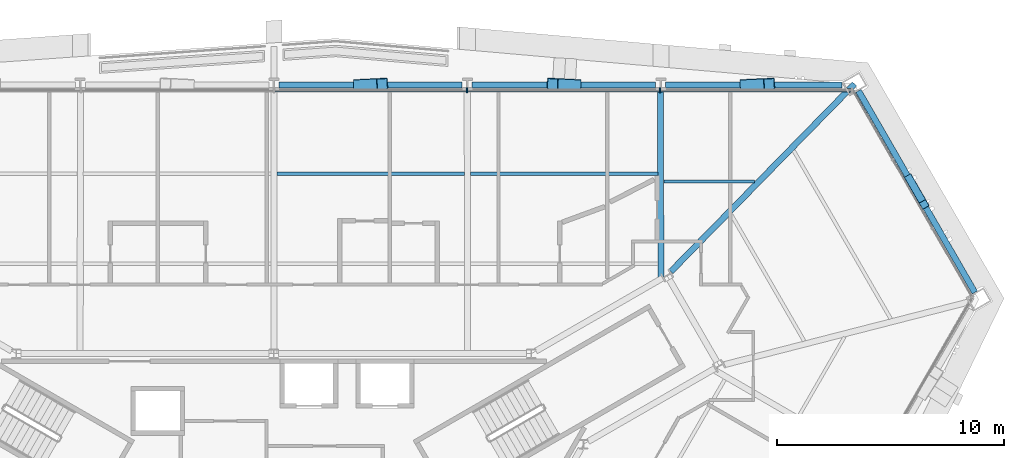
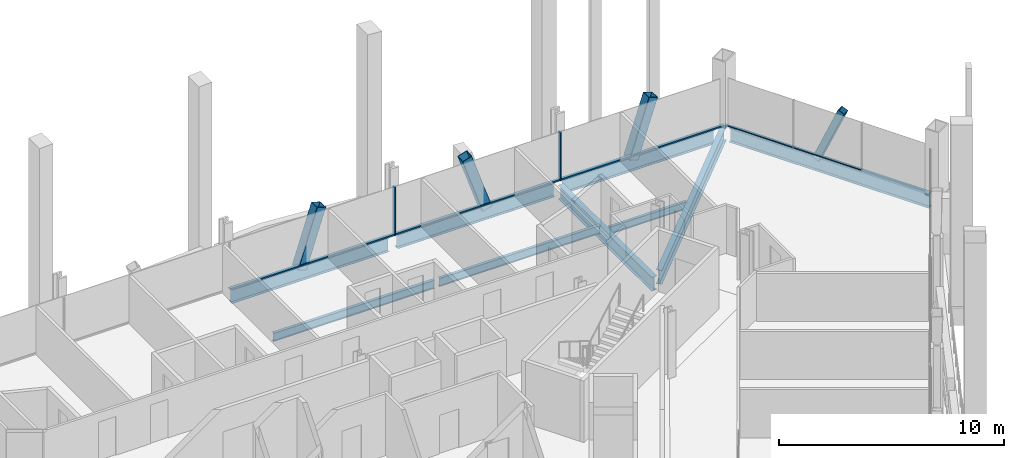
# One storey, part 8 of 18: 11 members, 9 beams, 2 elements without a shape of their own.
"""IFC4 building model written with IfcOpenShell, lengths in metres."""

from ifc_helpers import new_model, si_unit, direction, frame, origin, origin_2d, place, context, subcontext, project, spatial, rectangle, hollow_rectangle, i_section, extrude, material, material_profile, profile_set, type_object, element, aggregate, save


model = new_model("IFC4")

# Units and contexts
model_context = context("Model", 3, precision=1e-05, world=origin(), true_north=direction((0.0, 1.0)))
body_context = subcontext(model_context, "Body", "Model", "MODEL_VIEW")
ifc_project = project(units=[si_unit("LENGTHUNIT", "METRE"), si_unit("AREAUNIT", "SQUARE_METRE"), si_unit("VOLUMEUNIT", "CUBIC_METRE"), si_unit("PLANEANGLEUNIT", "RADIAN"), si_unit("MASSUNIT", "GRAM", prefix="KILO")], contexts=[model_context])

# Site, building, storey
site_placement = place(None, origin())
site = spatial("IfcSite", under=ifc_project, at=site_placement, CompositionType="ELEMENT")
building_placement = place(site_placement, origin())
building = spatial("IfcBuilding", under=site, at=building_placement, Name="Verrane Prism Tower", CompositionType="ELEMENT")
storey_placement = place(building_placement, frame((0.0, 0.0, 47.60009765625)))
storey = spatial("IfcBuildingStorey", under=building, at=storey_placement, Name="L09", CompositionType="ELEMENT", Elevation=47.60009765625)

# Member
ifc_material_1 = material(Name="Steel A500 Grade C", Category="steel")
ifc_material_profile_1 = material_profile(ifc_material_1, hollow_rectangle(XDim=0.355712890625, YDim=0.355712890625, WallThickness=0.0126953125, InnerFilletRadius=0.00634765625, OuterFilletRadius=0.01904296875, at=origin_2d()), Name="HSS14x14x1/2")
ifc_profile_set_1 = profile_set([ifc_material_profile_1], Name="Steel A500 Grade C")
member_type_1 = type_object("IfcMemberType", Name="Chamfer brace HSS14x14x1/2", PredefinedType="BRACE", material=ifc_profile_set_1)
member_1_placement = place(storey_placement, frame((27.958984375, 16.89501953125, -0.2451171875), z_axis=(0.19910006136, -0.345106773023, 0.917202529859), x_axis=(0.866185586049, 0.49972245349, 0.0)))
element("IfcMember", 1, at=member_1_placement, inside=storey, type_object=member_type_1, Name="Chamfer brace NE0 L09", PredefinedType="BRACE", context=body_context, shape_type="SweptSolid", body=[
    extrude(hollow_rectangle(XDim=0.355712890625, YDim=0.355712890625, WallThickness=0.0126953125, InnerFilletRadius=0.00634765625, OuterFilletRadius=0.01904296875, at=origin_2d()), origin(), (0.0, 0.0, 1.0), 3.27392578125),
])

# Beams
ifc_material_2 = material(Name="Steel A992", Category="steel")
ifc_material_profile_2 = material_profile(ifc_material_2, i_section(OverallWidth=0.2666015625, OverallDepth=0.76708984375, WebThickness=0.014892578125, FlangeThickness=0.023681640625, FilletRadius=0.0166015625, at=origin_2d()), Name="W30x124")
ifc_profile_set_2 = profile_set([ifc_material_profile_2], Name="Steel A992")
beam_type_1 = type_object("IfcBeamType", Name="Chamfer spandrel beam W30x124", PredefinedType="SPANDREL", material=ifc_profile_set_2)
beam_1_placement = place(storey_placement, frame((30.84521484375, 11.893310546875, -0.543701171875), z_axis=(-0.499796720239, 0.866142735603, 0.0), x_axis=(-0.866142735603, -0.499796720239, 0.0)))
element("IfcBeam", 2, at=beam_1_placement, inside=storey, type_object=beam_type_1, Name="Chamfer spandrel beam L09", PredefinedType="SPANDREL", context=body_context, shape_type="SweptSolid", body=[
    extrude(i_section(OverallWidth=0.2666015625, OverallDepth=0.76708984375, WebThickness=0.014892578125, FlangeThickness=0.023681640625, FilletRadius=0.0166015625, at=origin_2d()), origin(), (0.0, 0.0, 1.0), 10.244873046875),
])
ifc_material_3 = material(Name="Steel A992", Category="steel")
ifc_material_profile_3 = material_profile(ifc_material_3, i_section(OverallWidth=0.2666015625, OverallDepth=0.76708984375, WebThickness=0.014892578125, FlangeThickness=0.023681640625, FilletRadius=0.0166015625, at=origin_2d()), Name="W30x124")
ifc_profile_set_3 = profile_set([ifc_material_profile_3], Name="Steel A992")
beam_type_2 = type_object("IfcBeamType", Name="Corner girder W30x124", PredefinedType="BEAM", material=ifc_profile_set_3)
beam_2_placement = place(storey_placement, frame((25.548828125, 21.06884765625, -0.603515625), z_axis=(-0.699429302474, -0.714701791547, 0.0), x_axis=(0.714701791547, -0.699429302474, 0.0)))
element("IfcBeam", 3, at=beam_2_placement, inside=storey, type_object=beam_type_2, Name="Corner girder L09", PredefinedType="BEAM", context=body_context, shape_type="SweptSolid", body=[
    extrude(i_section(OverallWidth=0.2666015625, OverallDepth=0.76708984375, WebThickness=0.014892578125, FlangeThickness=0.023681640625, FilletRadius=0.0166015625, at=origin_2d()), origin(), (0.0, 0.0, 1.0), 11.5576171875),
])

# Members
ifc_material_4 = material(Name="Steel A1085 Grade A", Category="steel")
ifc_material_profile_4 = material_profile(ifc_material_4, hollow_rectangle(XDim=0.508056640625, YDim=0.508056640625, WallThickness=0.025390625, InnerFilletRadius=0.0126953125, OuterFilletRadius=0.0380859375, at=origin_2d()), Name="HSS20x20x1")
ifc_profile_set_4 = profile_set([ifc_material_profile_4], Name="Steel A1085 Grade A")
member_type_2 = type_object("IfcMemberType", Name="Facade brace HSS20x20x1", PredefinedType="BRACE", material=ifc_profile_set_4)
member_2_placement = place(storey_placement, frame((20.759765625, 21.019287109375, -0.24267578125), z_axis=(0.325838040976, 0.015958161649, 0.945290911905), x_axis=(-0.048917115844, 0.998802841294, 0.0)))
element("IfcMember", 4, at=member_2_placement, inside=storey, type_object=member_type_2, Name="Facade brace N0 L09", PredefinedType="BRACE", context=body_context, shape_type="SweptSolid", body=[
    extrude(hollow_rectangle(XDim=0.508056640625, YDim=0.508056640625, WallThickness=0.025390625, InnerFilletRadius=0.0126953125, OuterFilletRadius=0.0380859375, at=origin_2d()), origin(), (0.0, 0.0, 1.0), 3.18212890625),
])
member_3_placement = place(storey_placement, frame((13.26904296875, 21.019287109375, -0.24267578125), z_axis=(-0.316325789682, 0.016012597774, 0.948515467188), x_axis=(-0.050555857115, -0.998721235036, 0.0)))
element("IfcMember", 5, at=member_3_placement, inside=storey, type_object=member_type_2, Name="Facade brace N1 L09", PredefinedType="BRACE", context=body_context, shape_type="SweptSolid", body=[
    extrude(hollow_rectangle(XDim=0.508056640625, YDim=0.508056640625, WallThickness=0.025390625, InnerFilletRadius=0.0126953125, OuterFilletRadius=0.0380859375, at=origin_2d()), origin(), (0.0, 0.0, 1.0), 3.17138671875),
])
member_4_placement = place(storey_placement, frame((3.74755859375, 21.019287109375, -0.24267578125), z_axis=(0.321300829182, 0.015984351225, 0.946842266527), x_axis=(-0.049687414985, 0.998764817558, 0.0)))
element("IfcMember", 6, at=member_4_placement, inside=storey, type_object=member_type_2, Name="Facade brace N2 L09", PredefinedType="BRACE", context=body_context, shape_type="SweptSolid", body=[
    extrude(hollow_rectangle(XDim=0.508056640625, YDim=0.508056640625, WallThickness=0.025390625, InnerFilletRadius=0.0126953125, OuterFilletRadius=0.0380859375, at=origin_2d()), origin(), (0.0, 0.0, 1.0), 3.177001953125),
])

# Beams
ifc_material_5 = material(Name="Steel A992", Category="steel")
ifc_material_profile_5 = material_profile(ifc_material_5, i_section(OverallWidth=0.140380859375, OverallDepth=0.40380859375, WebThickness=0.007080078125, FlangeThickness=0.01123046875, FilletRadius=0.01025390625, at=origin_2d()), Name="W16x31")
ifc_profile_set_5 = profile_set([ifc_material_profile_5], Name="Steel A992")
beam_type_3 = type_object("IfcBeamType", Name="Floor beam W16x31", PredefinedType="BEAM", material=ifc_profile_set_5)
beam_3_placement = place(storey_placement, frame((17.16357421875, 16.77490234375, -0.362060546875), z_axis=(1.0, 0.0, 0.0), x_axis=(0.0, 1.0, 0.0)))
element("IfcBeam", 7, at=beam_3_placement, inside=storey, type_object=beam_type_3, Name="Floor beam L09", PredefinedType="BEAM", context=body_context, shape_type="SweptSolid", body=[
    extrude(i_section(OverallWidth=0.140380859375, OverallDepth=0.40380859375, WebThickness=0.007080078125, FlangeThickness=0.01123046875, FilletRadius=0.01025390625, at=origin_2d()), origin(), (0.0, 0.0, 1.0), 3.996337890625),
])
ifc_material_6 = material(Name="Steel A992", Category="steel")
ifc_material_profile_6 = material_profile(ifc_material_6, i_section(OverallWidth=0.15234375, OverallDepth=0.449462890625, WebThickness=0.007568359375, FlangeThickness=0.0107421875, FilletRadius=0.01025390625, at=origin_2d()), Name="W18x35")
ifc_profile_set_6 = profile_set([ifc_material_profile_6], Name="Steel A992")
beam_type_4 = type_object("IfcBeamType", Name="Floor beam W18x35", PredefinedType="BEAM", material=ifc_profile_set_6)
beam_4_placement = place(storey_placement, frame((8.653564453125, 17.11328125, -0.385009765625), z_axis=(1.0, 0.0, 0.0), x_axis=(0.0, 1.0, 0.0)))
element("IfcBeam", 8, at=beam_4_placement, inside=storey, type_object=beam_type_4, Name="Floor beam L09", PredefinedType="BEAM", context=body_context, shape_type="SweptSolid", body=[
    extrude(i_section(OverallWidth=0.15234375, OverallDepth=0.449462890625, WebThickness=0.007568359375, FlangeThickness=0.0107421875, FilletRadius=0.01025390625, at=origin_2d()), origin(), (0.0, 0.0, 1.0), 8.242919921875),
])
beam_5_placement = place(storey_placement, frame((0.133544921875, 17.11328125, -0.385009765625), z_axis=(1.0, 0.0, 0.0), x_axis=(0.0, 1.0, 0.0)))
element("IfcBeam", 9, at=beam_5_placement, inside=storey, type_object=beam_type_4, Name="Floor beam L09", PredefinedType="BEAM", context=body_context, shape_type="SweptSolid", body=[
    extrude(i_section(OverallWidth=0.15234375, OverallDepth=0.449462890625, WebThickness=0.007568359375, FlangeThickness=0.0107421875, FilletRadius=0.01025390625, at=origin_2d()), origin(), (0.0, 0.0, 1.0), 8.2529296875),
])

# Curtain wall, members
ifc_material_7 = material(Name="Aluminium framed insulated glazing", Category="aluminium")
curtain_wall_type_1 = type_object("IfcCurtainWallType", Name="Curtain wall CW-A 8400 module", PredefinedType="NOTDEFINED", material=ifc_material_7)
curtain_wall_1_placement = place(storey_placement, origin())
curtain_wall_1 = element("IfcCurtainWall", 10, at=curtain_wall_1_placement, inside=storey, type_object=curtain_wall_type_1, Name="Glazed curtain wall north face L09", PredefinedType="NOTDEFINED")
ifc_material_8 = material(Name="Aluminium alloy 6063-T6", Category="aluminium")
ifc_material_profile_7 = material_profile(ifc_material_8, rectangle(XDim=0.199951171875, YDim=0.070068359375, at=origin_2d()), Name="Mullion 70x200 aluminium")
ifc_profile_set_7 = profile_set([ifc_material_profile_7], Name="Aluminium alloy 6063-T6")
member_type_3 = type_object("IfcMemberType", Name="Mullion 70x200 aluminium", PredefinedType="MULLION", material=ifc_profile_set_7)
member_5_placement = place(storey_placement, frame((16.9833984375, 20.791015625, 0.0), z_axis=(0.0, 0.0, 1.0), x_axis=(0.0, -1.0, 0.0)))
member_5 = element("IfcMember", 11, at=member_5_placement, type_object=member_type_3, Name="CW09.2 mullion 2", PredefinedType="MULLION", context=body_context, shape_type="SweptSolid", body=[
    extrude(rectangle(XDim=0.199951171875, YDim=0.070068359375, at=origin_2d()), origin(), (0.0, 0.0, 1.0), 2.61279296875),
])
member_6_placement = place(storey_placement, frame((8.49169921875, 20.791015625, 0.0), z_axis=(0.0, 0.0, 1.0), x_axis=(0.0, -1.0, 0.0)))
member_6 = element("IfcMember", 12, at=member_6_placement, type_object=member_type_3, Name="CW09.2 mullion 3", PredefinedType="MULLION", context=body_context, shape_type="SweptSolid", body=[
    extrude(rectangle(XDim=0.199951171875, YDim=0.070068359375, at=origin_2d()), origin(), (0.0, 0.0, 1.0), 2.61279296875),
])

# Beams
ifc_material_9 = material(Name="Steel A992", Category="steel")
ifc_material_profile_8 = material_profile(ifc_material_9, i_section(OverallWidth=0.2666015625, OverallDepth=0.76708984375, WebThickness=0.014892578125, FlangeThickness=0.023681640625, FilletRadius=0.0166015625, at=origin_2d()), Name="W30x124")
ifc_profile_set_8 = profile_set([ifc_material_profile_8], Name="Steel A992")
beam_type_5 = type_object("IfcBeamType", Name="Radial girder W30x124", PredefinedType="BEAM", material=ifc_profile_set_8)
beam_6_placement = place(storey_placement, frame((17.011962890625, 20.753662109375, -0.603515625), z_axis=(0.00218475461, -0.999997613421, 0.0), x_axis=(0.999997613421, 0.00218475461, 0.0)))
element("IfcBeam", 13, at=beam_6_placement, inside=storey, type_object=beam_type_5, Name="Radial girder L09", PredefinedType="BEAM", context=body_context, shape_type="SweptSolid", body=[
    extrude(i_section(OverallWidth=0.2666015625, OverallDepth=0.76708984375, WebThickness=0.014892578125, FlangeThickness=0.023681640625, FilletRadius=0.0166015625, at=origin_2d()), origin(), (0.0, 0.0, 1.0), 8.269287109375),
])
ifc_material_10 = material(Name="Steel A992", Category="steel")
ifc_material_profile_9 = material_profile(ifc_material_10, i_section(OverallWidth=0.2666015625, OverallDepth=0.7568359375, WebThickness=0.013916015625, FlangeThickness=0.019287109375, FilletRadius=0.0166015625, at=origin_2d()), Name="W30x108")
ifc_profile_set_9 = profile_set([ifc_material_profile_9], Name="Steel A992")
beam_type_6 = type_object("IfcBeamType", Name="Spandrel beam W30x108", PredefinedType="SPANDREL", material=ifc_profile_set_9)
beam_7_placement = place(storey_placement, frame((25.0, 21.019287109375, -0.53857421875), z_axis=(-1.0, 0.0, 0.0), x_axis=(0.0, -1.0, 0.0)))
element("IfcBeam", 14, at=beam_7_placement, inside=storey, type_object=beam_type_6, Name="Spandrel beam L09", PredefinedType="SPANDREL", context=body_context, shape_type="SweptSolid", body=[
    extrude(i_section(OverallWidth=0.2666015625, OverallDepth=0.7568359375, WebThickness=0.013916015625, FlangeThickness=0.019287109375, FilletRadius=0.0166015625, at=origin_2d()), origin(), (0.0, 0.0, 1.0), 7.767578125),
])
beam_8_placement = place(storey_placement, frame((16.790283203125, 21.019287109375, -0.53857421875), z_axis=(-1.0, 0.0, 0.0), x_axis=(0.0, -1.0, 0.0)))
element("IfcBeam", 15, at=beam_8_placement, inside=storey, type_object=beam_type_6, Name="Spandrel beam L09", PredefinedType="SPANDREL", context=body_context, shape_type="SweptSolid", body=[
    extrude(i_section(OverallWidth=0.2666015625, OverallDepth=0.7568359375, WebThickness=0.013916015625, FlangeThickness=0.019287109375, FilletRadius=0.0166015625, at=origin_2d()), origin(), (0.0, 0.0, 1.0), 8.0595703125),
])
beam_9_placement = place(storey_placement, frame((8.288818359375, 21.019287109375, -0.53857421875), z_axis=(-1.0, 0.0, 0.0), x_axis=(0.0, -1.0, 0.0)))
element("IfcBeam", 16, at=beam_9_placement, inside=storey, type_object=beam_type_6, Name="Spandrel beam L09", PredefinedType="SPANDREL", context=body_context, shape_type="SweptSolid", body=[
    extrude(i_section(OverallWidth=0.2666015625, OverallDepth=0.7568359375, WebThickness=0.013916015625, FlangeThickness=0.019287109375, FilletRadius=0.0166015625, at=origin_2d()), origin(), (0.0, 0.0, 1.0), 8.06787109375),
])

# Curtain wall, members
ifc_material_11 = material(Name="Aluminium framed insulated glazing", Category="aluminium")
curtain_wall_type_2 = type_object("IfcCurtainWallType", Name="Curtain wall CW-C 4200 module", PredefinedType="NOTDEFINED", material=ifc_material_11)
curtain_wall_2_placement = place(storey_placement, origin())
curtain_wall_2 = element("IfcCurtainWall", 17, at=curtain_wall_2_placement, inside=storey, type_object=curtain_wall_type_2, Name="Glazed curtain wall north-east corner L09", PredefinedType="NOTDEFINED")
ifc_material_12 = material(Name="Aluminium alloy 6063-T6", Category="aluminium")
ifc_material_profile_10 = material_profile(ifc_material_12, rectangle(XDim=0.10009765625, YDim=0.050048828125, at=origin_2d()), Name="Transom 50x100 aluminium")
ifc_profile_set_10 = profile_set([ifc_material_profile_10], Name="Aluminium alloy 6063-T6")
member_type_4 = type_object("IfcMemberType", Name="Transom 50x100 aluminium", PredefinedType="USERDEFINED", material=ifc_profile_set_10)
member_7_placement = place(storey_placement, frame((28.974609375, 14.729736328125, 0.02490234375), z_axis=(-0.499976799773, 0.866038798027, 0.0), x_axis=(-0.866038798027, -0.499976799773, 0.0)))
member_7 = element("IfcMember", 18, at=member_7_placement, type_object=member_type_4, Name="CW09.1 transom 2", ObjectType="TRANSOM", PredefinedType="USERDEFINED", context=body_context, shape_type="SweptSolid", body=[
    extrude(rectangle(XDim=0.10009765625, YDim=0.050048828125, at=origin_2d()), origin(), (0.0, 0.0, 1.0), 3.462158203125),
])
member_8_placement = place(storey_placement, frame((27.21875, 17.771240234375, 0.02490234375), z_axis=(-0.500039619691, 0.866002528137, 0.0), x_axis=(-0.866002528137, -0.500039619691, 0.0)))
member_8 = element("IfcMember", 19, at=member_8_placement, type_object=member_type_4, Name="CW09.1 transom 3", ObjectType="TRANSOM", PredefinedType="USERDEFINED", context=body_context, shape_type="SweptSolid", body=[
    extrude(rectangle(XDim=0.10009765625, YDim=0.050048828125, at=origin_2d()), origin(), (0.0, 0.0, 1.0), 3.487060546875),
])
aggregate(curtain_wall_2, [member_7, member_8])

# Member
ifc_material_13 = material(Name="Aluminium alloy 6063-T6", Category="aluminium")
ifc_material_profile_11 = material_profile(ifc_material_13, rectangle(XDim=0.14990234375, YDim=0.070068359375, at=origin_2d()), Name="Transom 70x150 aluminium")
ifc_profile_set_11 = profile_set([ifc_material_profile_11], Name="Aluminium alloy 6063-T6")
member_type_5 = type_object("IfcMemberType", Name="Transom 70x150 aluminium", PredefinedType="USERDEFINED", material=ifc_profile_set_11)
member_9_placement = place(storey_placement, frame((25.4052734375, 20.791015625, 0.034912109375), z_axis=(-1.0, 0.0, 0.0), x_axis=(0.0, -1.0, 0.0)))
member_9 = element("IfcMember", 20, at=member_9_placement, type_object=member_type_5, Name="CW09.2 transom 1", ObjectType="TRANSOM", PredefinedType="USERDEFINED", context=body_context, shape_type="SweptSolid", body=[
    extrude(rectangle(XDim=0.14990234375, YDim=0.070068359375, at=origin_2d()), origin(), (0.0, 0.0, 1.0), 8.38671875),
])

member_10_placement = place(storey_placement, frame((16.948486328125, 20.791015625, 0.034912109375), z_axis=(-1.0, 0.0, 0.0), x_axis=(0.0, -1.0, 0.0)))
member_10 = element("IfcMember", 21, at=member_10_placement, type_object=member_type_5, Name="CW09.2 transom 2", ObjectType="TRANSOM", PredefinedType="USERDEFINED", context=body_context, shape_type="SweptSolid", body=[
    extrude(rectangle(XDim=0.14990234375, YDim=0.070068359375, at=origin_2d()), origin(), (0.0, 0.0, 1.0), 8.421875),
])

member_11_placement = place(storey_placement, frame((8.456787109375, 20.791015625, 0.034912109375), z_axis=(-1.0, 0.0, 0.0), x_axis=(0.0, -1.0, 0.0)))
member_11 = element("IfcMember", 22, at=member_11_placement, type_object=member_type_5, Name="CW09.2 transom 3", ObjectType="TRANSOM", PredefinedType="USERDEFINED", context=body_context, shape_type="SweptSolid", body=[
    extrude(rectangle(XDim=0.14990234375, YDim=0.070068359375, at=origin_2d()), origin(), (0.0, 0.0, 1.0), 8.421875),
])

aggregate(curtain_wall_1, [member_5, member_6, member_9, member_10, member_11])

save(model, "model.ifc")
